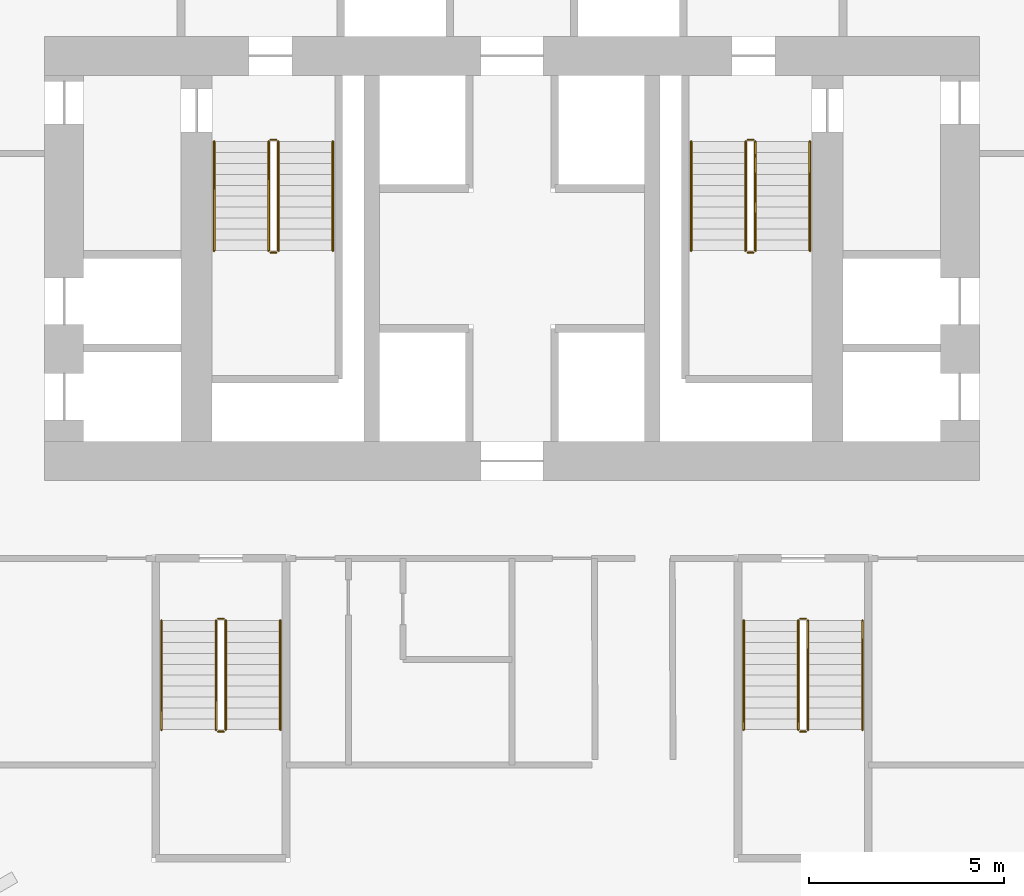
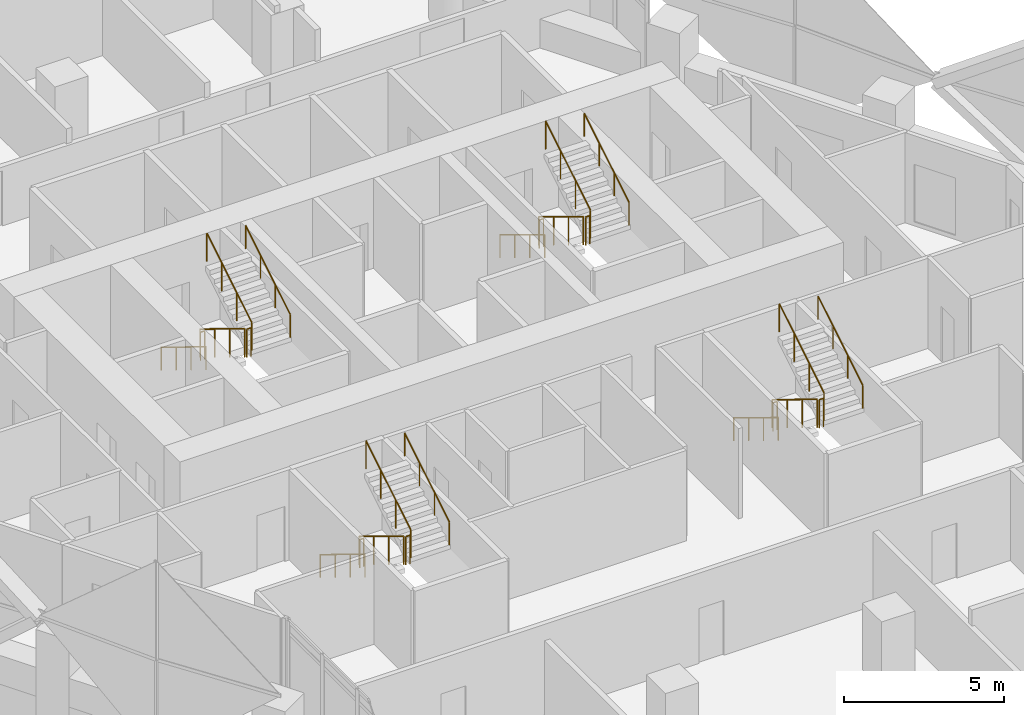
# One storey, part 36 of 36: 24 railings.
"""IFC4 building model written with IfcOpenShell, lengths in metres."""

from ifc_helpers import new_model, si_unit, direction, frame, origin, origin_2d, place, context, subcontext, project, spatial, circle, extrude, material, type_object, element, save


model = new_model("IFC4")

# Units and contexts
model_context = context("Model", 3, precision=1e-05, world=origin(), true_north=direction((0.0, 1.0)))
body_context = subcontext(model_context, "Body", "Model", "MODEL_VIEW")
ifc_project = project(units=[si_unit("LENGTHUNIT", "METRE"), si_unit("AREAUNIT", "SQUARE_METRE"), si_unit("VOLUMEUNIT", "CUBIC_METRE"), si_unit("PLANEANGLEUNIT", "RADIAN"), si_unit("MASSUNIT", "GRAM", prefix="KILO")], contexts=[model_context])

# Site, building, storey
site_placement = place(None, origin())
site = spatial("IfcSite", under=ifc_project, at=site_placement, CompositionType="ELEMENT")
building_placement = place(site_placement, origin())
building = spatial("IfcBuilding", under=site, at=building_placement, Name="Ostrander Bayou Hotel Tower", CompositionType="ELEMENT")
storey_placement = place(building_placement, frame((0.0, 0.0, 138.5)))
storey = spatial("IfcBuildingStorey", under=building, at=storey_placement, Name="L34", CompositionType="ELEMENT", Elevation=138.5)

# Railings
ifc_material_1 = material(Name="Steel ASTM A500 Gr C", Category="steel")
railing_type_1 = type_object("IfcRailingType", Name="GR1 stair guard 1100 mm steel", PredefinedType="GUARDRAIL", material=ifc_material_1)
railing_1_placement = place(storey_placement, frame((-6.25, 7.0, 0.17041015625)))
element("IfcRailing", 1, at=railing_1_placement, inside=storey, type_object=railing_type_1, Name="L34 STA stair guard 1", PredefinedType="GUARDRAIL", context=body_context, shape_type="SweptSolid", body=[
    extrude(circle(Radius=0.02392578125, at=origin_2d()), frame((0.0, 0.0, 1.076171875), z_axis=(0.0, -0.854169791009, 0.51999420009), x_axis=(1.0, 0.0, 0.0)), (0.0, 0.0, 1.0), 3.278076171875),
    extrude(circle(Radius=0.02099609375, at=origin_2d()), origin(), (0.0, 0.0, 1.0), 1.052001953125),
    extrude(circle(Radius=0.02099609375, at=origin_2d()), frame((0.0, -0.933349609375, 0.568115234375)), (0.0, 0.0, 1.0), 1.052001953125),
    extrude(circle(Radius=0.02099609375, at=origin_2d()), frame((0.0, -1.86669921875, 1.136474609375)), (0.0, 0.0, 1.0), 1.052001953125),
    extrude(circle(Radius=0.02099609375, at=origin_2d()), frame((0.0, -2.800048828125, 1.70458984375)), (0.0, 0.0, 1.0), 1.052001953125),
])
railing_2_placement = place(storey_placement, frame((-6.199951171875, 4.14990234375, 1.875)))
element("IfcRailing", 2, at=railing_2_placement, inside=storey, type_object=railing_type_1, Name="L34 STA stair guard 2", PredefinedType="GUARDRAIL", context=body_context, shape_type="SweptSolid", body=[
    extrude(circle(Radius=0.02392578125, at=origin_2d()), frame((0.0, 0.0, 1.076171875), z_axis=(1.0, 0.0, 0.0), x_axis=(0.0, 1.0, 0.0)), (0.0, 0.0, 1.0), 0.14990234375),
    extrude(circle(Radius=0.02099609375, at=origin_2d()), origin(), (0.0, 0.0, 1.0), 1.052001953125),
    extrude(circle(Radius=0.02099609375, at=origin_2d()), frame((0.14990234375, 0.0, 0.0)), (0.0, 0.0, 1.0), 1.052001953125),
])
railing_3_placement = place(storey_placement, frame((-6.0, 4.199951171875, 2.04541015625)))
element("IfcRailing", 3, at=railing_3_placement, inside=storey, type_object=railing_type_1, Name="L34 STA stair guard 3", PredefinedType="GUARDRAIL", context=body_context, shape_type="SweptSolid", body=[
    extrude(circle(Radius=0.02392578125, at=origin_2d()), frame((0.0, 0.0, 1.076171875), z_axis=(0.0, 0.854169791009, 0.51999420009), x_axis=(-1.0, 0.0, 0.0)), (0.0, 0.0, 1.0), 3.278076171875),
    extrude(circle(Radius=0.02099609375, at=origin_2d()), origin(), (0.0, 0.0, 1.0), 1.052001953125),
    extrude(circle(Radius=0.02099609375, at=origin_2d()), frame((0.0, 0.933349609375, 0.568115234375)), (0.0, 0.0, 1.0), 1.052001953125),
    extrude(circle(Radius=0.02099609375, at=origin_2d()), frame((0.0, 1.86669921875, 1.136474609375)), (0.0, 0.0, 1.0), 1.052001953125),
    extrude(circle(Radius=0.02099609375, at=origin_2d()), frame((0.0, 2.800048828125, 1.70458984375)), (0.0, 0.0, 1.0), 1.052001953125),
])
railing_4_placement = place(storey_placement, frame((-6.199951171875, 7.050048828125, 0.0)))
element("IfcRailing", 4, at=railing_4_placement, inside=storey, type_object=railing_type_1, Name="L34 STA stair guard 4", PredefinedType="GUARDRAIL", context=body_context, shape_type="SweptSolid", body=[
    extrude(circle(Radius=0.02392578125, at=origin_2d()), frame((0.0, 0.0, 1.076171875), z_axis=(1.0, 0.0, 0.0), x_axis=(0.0, 1.0, 0.0)), (0.0, 0.0, 1.0), 0.14990234375),
    extrude(circle(Radius=0.02099609375, at=origin_2d()), origin(), (0.0, 0.0, 1.0), 1.052001953125),
    extrude(circle(Radius=0.02099609375, at=origin_2d()), frame((0.14990234375, 0.0, 0.0)), (0.0, 0.0, 1.0), 1.052001953125),
])
railing_5_placement = place(storey_placement, frame((6.0, 7.0, 0.17041015625)))
element("IfcRailing", 5, at=railing_5_placement, inside=storey, type_object=railing_type_1, Name="L34 STB stair guard 1", PredefinedType="GUARDRAIL", context=body_context, shape_type="SweptSolid", body=[
    extrude(circle(Radius=0.02392578125, at=origin_2d()), frame((0.0, 0.0, 1.076171875), z_axis=(0.0, -0.854169791009, 0.51999420009), x_axis=(1.0, 0.0, 0.0)), (0.0, 0.0, 1.0), 3.278076171875),
    extrude(circle(Radius=0.02099609375, at=origin_2d()), origin(), (0.0, 0.0, 1.0), 1.052001953125),
    extrude(circle(Radius=0.02099609375, at=origin_2d()), frame((0.0, -0.933349609375, 0.568115234375)), (0.0, 0.0, 1.0), 1.052001953125),
    extrude(circle(Radius=0.02099609375, at=origin_2d()), frame((0.0, -1.86669921875, 1.136474609375)), (0.0, 0.0, 1.0), 1.052001953125),
    extrude(circle(Radius=0.02099609375, at=origin_2d()), frame((0.0, -2.800048828125, 1.70458984375)), (0.0, 0.0, 1.0), 1.052001953125),
])
railing_6_placement = place(storey_placement, frame((6.050048828125, 4.14990234375, 1.875)))
element("IfcRailing", 6, at=railing_6_placement, inside=storey, type_object=railing_type_1, Name="L34 STB stair guard 2", PredefinedType="GUARDRAIL", context=body_context, shape_type="SweptSolid", body=[
    extrude(circle(Radius=0.02392578125, at=origin_2d()), frame((0.0, 0.0, 1.076171875), z_axis=(1.0, 0.0, 0.0), x_axis=(0.0, 1.0, 0.0)), (0.0, 0.0, 1.0), 0.14990234375),
    extrude(circle(Radius=0.02099609375, at=origin_2d()), origin(), (0.0, 0.0, 1.0), 1.052001953125),
    extrude(circle(Radius=0.02099609375, at=origin_2d()), frame((0.14990234375, 0.0, 0.0)), (0.0, 0.0, 1.0), 1.052001953125),
])
railing_7_placement = place(storey_placement, frame((6.25, 4.199951171875, 2.04541015625)))
element("IfcRailing", 7, at=railing_7_placement, inside=storey, type_object=railing_type_1, Name="L34 STB stair guard 3", PredefinedType="GUARDRAIL", context=body_context, shape_type="SweptSolid", body=[
    extrude(circle(Radius=0.02392578125, at=origin_2d()), frame((0.0, 0.0, 1.076171875), z_axis=(0.0, 0.854169791009, 0.51999420009), x_axis=(-1.0, 0.0, 0.0)), (0.0, 0.0, 1.0), 3.278076171875),
    extrude(circle(Radius=0.02099609375, at=origin_2d()), origin(), (0.0, 0.0, 1.0), 1.052001953125),
    extrude(circle(Radius=0.02099609375, at=origin_2d()), frame((0.0, 0.933349609375, 0.568115234375)), (0.0, 0.0, 1.0), 1.052001953125),
    extrude(circle(Radius=0.02099609375, at=origin_2d()), frame((0.0, 1.86669921875, 1.136474609375)), (0.0, 0.0, 1.0), 1.052001953125),
    extrude(circle(Radius=0.02099609375, at=origin_2d()), frame((0.0, 2.800048828125, 1.70458984375)), (0.0, 0.0, 1.0), 1.052001953125),
])
railing_8_placement = place(storey_placement, frame((6.050048828125, 7.050048828125, 0.0)))
element("IfcRailing", 8, at=railing_8_placement, inside=storey, type_object=railing_type_1, Name="L34 STB stair guard 4", PredefinedType="GUARDRAIL", context=body_context, shape_type="SweptSolid", body=[
    extrude(circle(Radius=0.02392578125, at=origin_2d()), frame((0.0, 0.0, 1.076171875), z_axis=(1.0, 0.0, 0.0), x_axis=(0.0, 1.0, 0.0)), (0.0, 0.0, 1.0), 0.14990234375),
    extrude(circle(Radius=0.02099609375, at=origin_2d()), origin(), (0.0, 0.0, 1.0), 1.052001953125),
    extrude(circle(Radius=0.02099609375, at=origin_2d()), frame((0.14990234375, 0.0, 0.0)), (0.0, 0.0, 1.0), 1.052001953125),
])
railing_9_placement = place(storey_placement, frame((7.35009765625, -5.300048828125, 0.17041015625)))
element("IfcRailing", 9, at=railing_9_placement, inside=storey, type_object=railing_type_1, Name="L34 STC stair guard 1", PredefinedType="GUARDRAIL", context=body_context, shape_type="SweptSolid", body=[
    extrude(circle(Radius=0.02392578125, at=origin_2d()), frame((0.0, 0.0, 1.076171875), z_axis=(0.0, -0.854169791009, 0.51999420009), x_axis=(1.0, 0.0, 0.0)), (0.0, 0.0, 1.0), 3.278076171875),
    extrude(circle(Radius=0.02099609375, at=origin_2d()), origin(), (0.0, 0.0, 1.0), 1.052001953125),
    extrude(circle(Radius=0.02099609375, at=origin_2d()), frame((0.0, -0.933349609375, 0.568115234375)), (0.0, 0.0, 1.0), 1.052001953125),
    extrude(circle(Radius=0.02099609375, at=origin_2d()), frame((0.0, -1.86669921875, 1.136474609375)), (0.0, 0.0, 1.0), 1.052001953125),
    extrude(circle(Radius=0.02099609375, at=origin_2d()), frame((0.0, -2.800048828125, 1.70458984375)), (0.0, 0.0, 1.0), 1.052001953125),
])
railing_10_placement = place(storey_placement, frame((7.39990234375, -8.14990234375, 1.875)))
element("IfcRailing", 10, at=railing_10_placement, inside=storey, type_object=railing_type_1, Name="L34 STC stair guard 2", PredefinedType="GUARDRAIL", context=body_context, shape_type="SweptSolid", body=[
    extrude(circle(Radius=0.02392578125, at=origin_2d()), frame((0.0, 0.0, 1.076171875), z_axis=(1.0, 0.0, 0.0), x_axis=(0.0, 1.0, 0.0)), (0.0, 0.0, 1.0), 0.150146484375),
    extrude(circle(Radius=0.02099609375, at=origin_2d()), origin(), (0.0, 0.0, 1.0), 1.052001953125),
    extrude(circle(Radius=0.02099609375, at=origin_2d()), frame((0.150146484375, 0.0, 0.0)), (0.0, 0.0, 1.0), 1.052001953125),
])
railing_11_placement = place(storey_placement, frame((7.60009765625, -8.10009765625, 2.04541015625)))
element("IfcRailing", 11, at=railing_11_placement, inside=storey, type_object=railing_type_1, Name="L34 STC stair guard 3", PredefinedType="GUARDRAIL", context=body_context, shape_type="SweptSolid", body=[
    extrude(circle(Radius=0.02392578125, at=origin_2d()), frame((0.0, 0.0, 1.076171875), z_axis=(0.0, 0.854169791009, 0.51999420009), x_axis=(-1.0, 0.0, 0.0)), (0.0, 0.0, 1.0), 3.278076171875),
    extrude(circle(Radius=0.02099609375, at=origin_2d()), origin(), (0.0, 0.0, 1.0), 1.052001953125),
    extrude(circle(Radius=0.02099609375, at=origin_2d()), frame((0.0, 0.933349609375, 0.568115234375)), (0.0, 0.0, 1.0), 1.052001953125),
    extrude(circle(Radius=0.02099609375, at=origin_2d()), frame((0.0, 1.86669921875, 1.136474609375)), (0.0, 0.0, 1.0), 1.052001953125),
    extrude(circle(Radius=0.02099609375, at=origin_2d()), frame((0.0, 2.800048828125, 1.70458984375)), (0.0, 0.0, 1.0), 1.052001953125),
])
railing_12_placement = place(storey_placement, frame((7.39990234375, -5.25, 0.0)))
element("IfcRailing", 12, at=railing_12_placement, inside=storey, type_object=railing_type_1, Name="L34 STC stair guard 4", PredefinedType="GUARDRAIL", context=body_context, shape_type="SweptSolid", body=[
    extrude(circle(Radius=0.02392578125, at=origin_2d()), frame((0.0, 0.0, 1.076171875), z_axis=(1.0, 0.0, 0.0), x_axis=(0.0, 1.0, 0.0)), (0.0, 0.0, 1.0), 0.150146484375),
    extrude(circle(Radius=0.02099609375, at=origin_2d()), origin(), (0.0, 0.0, 1.0), 1.052001953125),
    extrude(circle(Radius=0.02099609375, at=origin_2d()), frame((0.150146484375, 0.0, 0.0)), (0.0, 0.0, 1.0), 1.052001953125),
])
railing_13_placement = place(storey_placement, frame((-7.60009765625, -5.300048828125, 0.17041015625)))
element("IfcRailing", 13, at=railing_13_placement, inside=storey, type_object=railing_type_1, Name="L34 STD stair guard 1", PredefinedType="GUARDRAIL", context=body_context, shape_type="SweptSolid", body=[
    extrude(circle(Radius=0.02392578125, at=origin_2d()), frame((0.0, 0.0, 1.076171875), z_axis=(0.0, -0.854169791009, 0.51999420009), x_axis=(1.0, 0.0, 0.0)), (0.0, 0.0, 1.0), 3.278076171875),
    extrude(circle(Radius=0.02099609375, at=origin_2d()), origin(), (0.0, 0.0, 1.0), 1.052001953125),
    extrude(circle(Radius=0.02099609375, at=origin_2d()), frame((0.0, -0.933349609375, 0.568115234375)), (0.0, 0.0, 1.0), 1.052001953125),
    extrude(circle(Radius=0.02099609375, at=origin_2d()), frame((0.0, -1.86669921875, 1.136474609375)), (0.0, 0.0, 1.0), 1.052001953125),
    extrude(circle(Radius=0.02099609375, at=origin_2d()), frame((0.0, -2.800048828125, 1.70458984375)), (0.0, 0.0, 1.0), 1.052001953125),
])
railing_14_placement = place(storey_placement, frame((-7.550048828125, -8.14990234375, 1.875)))
element("IfcRailing", 14, at=railing_14_placement, inside=storey, type_object=railing_type_1, Name="L34 STD stair guard 2", PredefinedType="GUARDRAIL", context=body_context, shape_type="SweptSolid", body=[
    extrude(circle(Radius=0.02392578125, at=origin_2d()), frame((0.0, 0.0, 1.076171875), z_axis=(1.0, 0.0, 0.0), x_axis=(0.0, 1.0, 0.0)), (0.0, 0.0, 1.0), 0.150146484375),
    extrude(circle(Radius=0.02099609375, at=origin_2d()), origin(), (0.0, 0.0, 1.0), 1.052001953125),
    extrude(circle(Radius=0.02099609375, at=origin_2d()), frame((0.150146484375, 0.0, 0.0)), (0.0, 0.0, 1.0), 1.052001953125),
])
railing_15_placement = place(storey_placement, frame((-7.35009765625, -8.10009765625, 2.04541015625)))
element("IfcRailing", 15, at=railing_15_placement, inside=storey, type_object=railing_type_1, Name="L34 STD stair guard 3", PredefinedType="GUARDRAIL", context=body_context, shape_type="SweptSolid", body=[
    extrude(circle(Radius=0.02392578125, at=origin_2d()), frame((0.0, 0.0, 1.076171875), z_axis=(0.0, 0.854169791009, 0.51999420009), x_axis=(-1.0, 0.0, 0.0)), (0.0, 0.0, 1.0), 3.278076171875),
    extrude(circle(Radius=0.02099609375, at=origin_2d()), origin(), (0.0, 0.0, 1.0), 1.052001953125),
    extrude(circle(Radius=0.02099609375, at=origin_2d()), frame((0.0, 0.933349609375, 0.568115234375)), (0.0, 0.0, 1.0), 1.052001953125),
    extrude(circle(Radius=0.02099609375, at=origin_2d()), frame((0.0, 1.86669921875, 1.136474609375)), (0.0, 0.0, 1.0), 1.052001953125),
    extrude(circle(Radius=0.02099609375, at=origin_2d()), frame((0.0, 2.800048828125, 1.70458984375)), (0.0, 0.0, 1.0), 1.052001953125),
])
railing_16_placement = place(storey_placement, frame((-7.550048828125, -5.25, 0.0)))
element("IfcRailing", 16, at=railing_16_placement, inside=storey, type_object=railing_type_1, Name="L34 STD stair guard 4", PredefinedType="GUARDRAIL", context=body_context, shape_type="SweptSolid", body=[
    extrude(circle(Radius=0.02392578125, at=origin_2d()), frame((0.0, 0.0, 1.076171875), z_axis=(1.0, 0.0, 0.0), x_axis=(0.0, 1.0, 0.0)), (0.0, 0.0, 1.0), 0.150146484375),
    extrude(circle(Radius=0.02099609375, at=origin_2d()), origin(), (0.0, 0.0, 1.0), 1.052001953125),
    extrude(circle(Radius=0.02099609375, at=origin_2d()), frame((0.150146484375, 0.0, 0.0)), (0.0, 0.0, 1.0), 1.052001953125),
])
ifc_material_2 = material(Name="Steel ASTM A500 Gr C", Category="steel")
railing_type_2 = type_object("IfcRailingType", Name="HR1 stair handrail 900 mm steel", PredefinedType="HANDRAIL", material=ifc_material_2)
railing_17_placement = place(storey_placement, frame((-7.64990234375, 7.0, 0.17041015625)))
element("IfcRailing", 17, at=railing_17_placement, inside=storey, type_object=railing_type_2, Name="L34 STA stair handrail 1", PredefinedType="HANDRAIL", context=body_context, shape_type="SweptSolid", body=[
    extrude(circle(Radius=0.02392578125, at=origin_2d()), frame((0.0, 0.0, 0.8759765625), z_axis=(0.0, -0.854169791009, 0.51999420009), x_axis=(1.0, 0.0, 0.0)), (0.0, 0.0, 1.0), 3.278076171875),
    extrude(circle(Radius=0.02099609375, at=origin_2d()), origin(), (0.0, 0.0, 1.0), 0.851806640625),
    extrude(circle(Radius=0.02099609375, at=origin_2d()), frame((0.0, -0.933349609375, 0.568115234375)), (0.0, 0.0, 1.0), 0.851806640625),
    extrude(circle(Radius=0.02099609375, at=origin_2d()), frame((0.0, -1.86669921875, 1.136474609375)), (0.0, 0.0, 1.0), 0.851806640625),
    extrude(circle(Radius=0.02099609375, at=origin_2d()), frame((0.0, -2.800048828125, 1.70458984375)), (0.0, 0.0, 1.0), 0.851806640625),
])
railing_18_placement = place(storey_placement, frame((-4.60009765625, 4.199951171875, 2.04541015625)))
element("IfcRailing", 18, at=railing_18_placement, inside=storey, type_object=railing_type_2, Name="L34 STA stair handrail 2", PredefinedType="HANDRAIL", context=body_context, shape_type="SweptSolid", body=[
    extrude(circle(Radius=0.02392578125, at=origin_2d()), frame((0.0, 0.0, 0.8759765625), z_axis=(0.0, 0.854169791009, 0.51999420009), x_axis=(-1.0, 0.0, 0.0)), (0.0, 0.0, 1.0), 3.278076171875),
    extrude(circle(Radius=0.02099609375, at=origin_2d()), origin(), (0.0, 0.0, 1.0), 0.851806640625),
    extrude(circle(Radius=0.02099609375, at=origin_2d()), frame((0.0, 0.933349609375, 0.568115234375)), (0.0, 0.0, 1.0), 0.851806640625),
    extrude(circle(Radius=0.02099609375, at=origin_2d()), frame((0.0, 1.86669921875, 1.136474609375)), (0.0, 0.0, 1.0), 0.851806640625),
    extrude(circle(Radius=0.02099609375, at=origin_2d()), frame((0.0, 2.800048828125, 1.70458984375)), (0.0, 0.0, 1.0), 0.851806640625),
])
railing_19_placement = place(storey_placement, frame((4.60009765625, 7.0, 0.17041015625)))
element("IfcRailing", 19, at=railing_19_placement, inside=storey, type_object=railing_type_2, Name="L34 STB stair handrail 1", PredefinedType="HANDRAIL", context=body_context, shape_type="SweptSolid", body=[
    extrude(circle(Radius=0.02392578125, at=origin_2d()), frame((0.0, 0.0, 0.8759765625), z_axis=(0.0, -0.854169791009, 0.51999420009), x_axis=(1.0, 0.0, 0.0)), (0.0, 0.0, 1.0), 3.278076171875),
    extrude(circle(Radius=0.02099609375, at=origin_2d()), origin(), (0.0, 0.0, 1.0), 0.851806640625),
    extrude(circle(Radius=0.02099609375, at=origin_2d()), frame((0.0, -0.933349609375, 0.568115234375)), (0.0, 0.0, 1.0), 0.851806640625),
    extrude(circle(Radius=0.02099609375, at=origin_2d()), frame((0.0, -1.86669921875, 1.136474609375)), (0.0, 0.0, 1.0), 0.851806640625),
    extrude(circle(Radius=0.02099609375, at=origin_2d()), frame((0.0, -2.800048828125, 1.70458984375)), (0.0, 0.0, 1.0), 0.851806640625),
])
railing_20_placement = place(storey_placement, frame((7.64990234375, 4.199951171875, 2.04541015625)))
element("IfcRailing", 20, at=railing_20_placement, inside=storey, type_object=railing_type_2, Name="L34 STB stair handrail 2", PredefinedType="HANDRAIL", context=body_context, shape_type="SweptSolid", body=[
    extrude(circle(Radius=0.02392578125, at=origin_2d()), frame((0.0, 0.0, 0.8759765625), z_axis=(0.0, 0.854169791009, 0.51999420009), x_axis=(-1.0, 0.0, 0.0)), (0.0, 0.0, 1.0), 3.278076171875),
    extrude(circle(Radius=0.02099609375, at=origin_2d()), origin(), (0.0, 0.0, 1.0), 0.851806640625),
    extrude(circle(Radius=0.02099609375, at=origin_2d()), frame((0.0, 0.933349609375, 0.568115234375)), (0.0, 0.0, 1.0), 0.851806640625),
    extrude(circle(Radius=0.02099609375, at=origin_2d()), frame((0.0, 1.86669921875, 1.136474609375)), (0.0, 0.0, 1.0), 0.851806640625),
    extrude(circle(Radius=0.02099609375, at=origin_2d()), frame((0.0, 2.800048828125, 1.70458984375)), (0.0, 0.0, 1.0), 0.851806640625),
])
railing_21_placement = place(storey_placement, frame((5.949951171875, -5.300048828125, 0.17041015625)))
element("IfcRailing", 21, at=railing_21_placement, inside=storey, type_object=railing_type_2, Name="L34 STC stair handrail 1", PredefinedType="HANDRAIL", context=body_context, shape_type="SweptSolid", body=[
    extrude(circle(Radius=0.02392578125, at=origin_2d()), frame((0.0, 0.0, 0.8759765625), z_axis=(0.0, -0.854169791009, 0.51999420009), x_axis=(1.0, 0.0, 0.0)), (0.0, 0.0, 1.0), 3.278076171875),
    extrude(circle(Radius=0.02099609375, at=origin_2d()), origin(), (0.0, 0.0, 1.0), 0.851806640625),
    extrude(circle(Radius=0.02099609375, at=origin_2d()), frame((0.0, -0.933349609375, 0.568115234375)), (0.0, 0.0, 1.0), 0.851806640625),
    extrude(circle(Radius=0.02099609375, at=origin_2d()), frame((0.0, -1.86669921875, 1.136474609375)), (0.0, 0.0, 1.0), 0.851806640625),
    extrude(circle(Radius=0.02099609375, at=origin_2d()), frame((0.0, -2.800048828125, 1.70458984375)), (0.0, 0.0, 1.0), 0.851806640625),
])
railing_22_placement = place(storey_placement, frame((9.0, -8.10009765625, 2.04541015625)))
element("IfcRailing", 22, at=railing_22_placement, inside=storey, type_object=railing_type_2, Name="L34 STC stair handrail 2", PredefinedType="HANDRAIL", context=body_context, shape_type="SweptSolid", body=[
    extrude(circle(Radius=0.02392578125, at=origin_2d()), frame((0.0, 0.0, 0.8759765625), z_axis=(0.0, 0.854169791009, 0.51999420009), x_axis=(-1.0, 0.0, 0.0)), (0.0, 0.0, 1.0), 3.278076171875),
    extrude(circle(Radius=0.02099609375, at=origin_2d()), origin(), (0.0, 0.0, 1.0), 0.851806640625),
    extrude(circle(Radius=0.02099609375, at=origin_2d()), frame((0.0, 0.933349609375, 0.568115234375)), (0.0, 0.0, 1.0), 0.851806640625),
    extrude(circle(Radius=0.02099609375, at=origin_2d()), frame((0.0, 1.86669921875, 1.136474609375)), (0.0, 0.0, 1.0), 0.851806640625),
    extrude(circle(Radius=0.02099609375, at=origin_2d()), frame((0.0, 2.800048828125, 1.70458984375)), (0.0, 0.0, 1.0), 0.851806640625),
])
railing_23_placement = place(storey_placement, frame((-9.0, -5.300048828125, 0.17041015625)))
element("IfcRailing", 23, at=railing_23_placement, inside=storey, type_object=railing_type_2, Name="L34 STD stair handrail 1", PredefinedType="HANDRAIL", context=body_context, shape_type="SweptSolid", body=[
    extrude(circle(Radius=0.02392578125, at=origin_2d()), frame((0.0, 0.0, 0.8759765625), z_axis=(0.0, -0.854169791009, 0.51999420009), x_axis=(1.0, 0.0, 0.0)), (0.0, 0.0, 1.0), 3.278076171875),
    extrude(circle(Radius=0.02099609375, at=origin_2d()), origin(), (0.0, 0.0, 1.0), 0.851806640625),
    extrude(circle(Radius=0.02099609375, at=origin_2d()), frame((0.0, -0.933349609375, 0.568115234375)), (0.0, 0.0, 1.0), 0.851806640625),
    extrude(circle(Radius=0.02099609375, at=origin_2d()), frame((0.0, -1.86669921875, 1.136474609375)), (0.0, 0.0, 1.0), 0.851806640625),
    extrude(circle(Radius=0.02099609375, at=origin_2d()), frame((0.0, -2.800048828125, 1.70458984375)), (0.0, 0.0, 1.0), 0.851806640625),
])
railing_24_placement = place(storey_placement, frame((-5.949951171875, -8.10009765625, 2.04541015625)))
element("IfcRailing", 24, at=railing_24_placement, inside=storey, type_object=railing_type_2, Name="L34 STD stair handrail 2", PredefinedType="HANDRAIL", context=body_context, shape_type="SweptSolid", body=[
    extrude(circle(Radius=0.02392578125, at=origin_2d()), frame((0.0, 0.0, 0.8759765625), z_axis=(0.0, 0.854169791009, 0.51999420009), x_axis=(-1.0, 0.0, 0.0)), (0.0, 0.0, 1.0), 3.278076171875),
    extrude(circle(Radius=0.02099609375, at=origin_2d()), origin(), (0.0, 0.0, 1.0), 0.851806640625),
    extrude(circle(Radius=0.02099609375, at=origin_2d()), frame((0.0, 0.933349609375, 0.568115234375)), (0.0, 0.0, 1.0), 0.851806640625),
    extrude(circle(Radius=0.02099609375, at=origin_2d()), frame((0.0, 1.86669921875, 1.136474609375)), (0.0, 0.0, 1.0), 0.851806640625),
    extrude(circle(Radius=0.02099609375, at=origin_2d()), frame((0.0, 2.800048828125, 1.70458984375)), (0.0, 0.0, 1.0), 0.851806640625),
])

save(model, "model.ifc")
